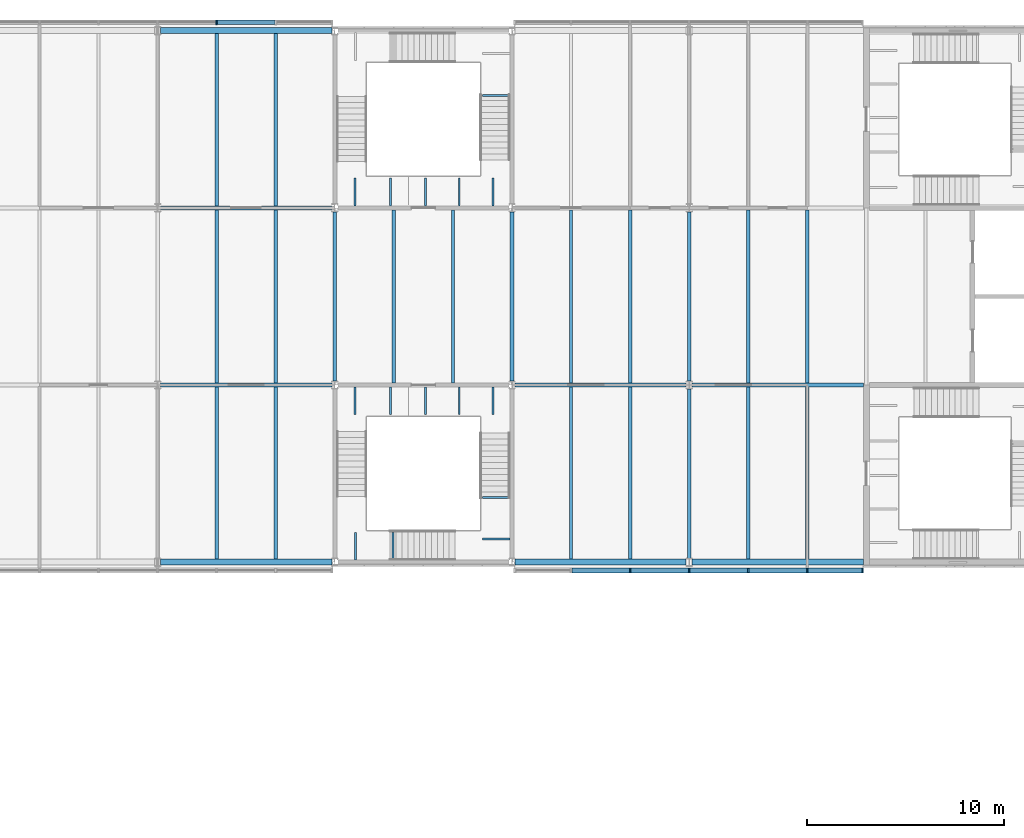
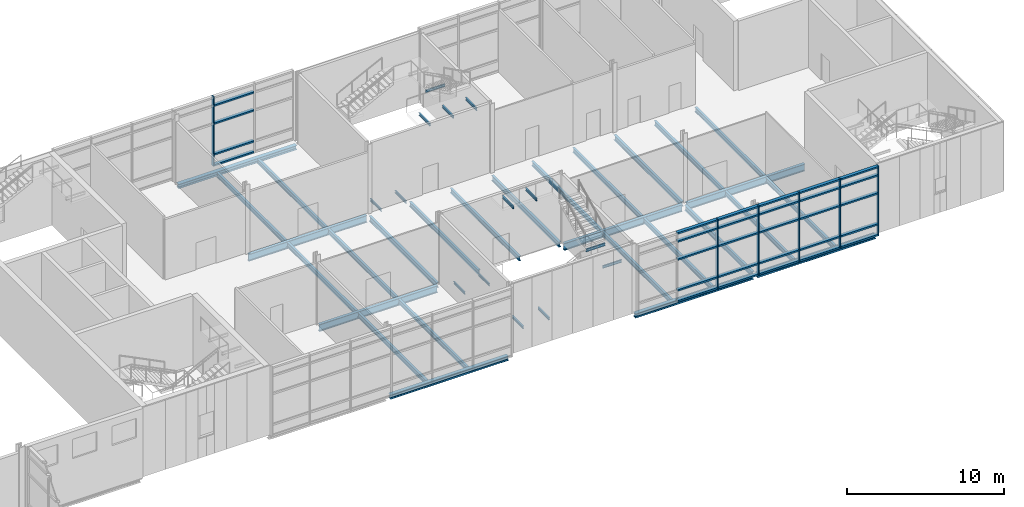
# One storey, part 26 of 56: 43 beams, 35 members, 2 elements without a shape of their own.
"""IFC4 building model written with IfcOpenShell, lengths in metres."""

from ifc_helpers import new_model, si_unit, direction, frame, origin, origin_2d, place, context, subcontext, project, spatial, rectangle, i_section, extrude, material, material_profile, profile_set, type_object, element, aggregate, save


model = new_model("IFC4")

# Units and contexts
model_context = context("Model", 3, precision=1e-05, world=origin(), true_north=direction((0.0, 1.0)))
body_context = subcontext(model_context, "Body", "Model", "MODEL_VIEW")
ifc_project = project(units=[si_unit("LENGTHUNIT", "METRE"), si_unit("AREAUNIT", "SQUARE_METRE"), si_unit("VOLUMEUNIT", "CUBIC_METRE"), si_unit("PLANEANGLEUNIT", "RADIAN"), si_unit("MASSUNIT", "GRAM", prefix="KILO")], contexts=[model_context])

# Site, building, storey
site_placement = place(None, origin())
site = spatial("IfcSite", under=ifc_project, at=site_placement, CompositionType="ELEMENT")
building_placement = place(site_placement, origin())
building = spatial("IfcBuilding", under=site, at=building_placement, Name="Azimuth Sports and Learning Centre", CompositionType="ELEMENT")
storey_placement = place(building_placement, frame((0.0, 0.0, 5.39990234375)))
storey = spatial("IfcBuildingStorey", under=building, at=storey_placement, Name="L01", CompositionType="ELEMENT", Elevation=5.39990234375)

# Beams
ifc_material_1 = material(Name="Steel S355", Category="steel")
ifc_material_profile_1 = material_profile(ifc_material_1, i_section(OverallWidth=0.10009765625, OverallDepth=0.199951171875, WebThickness=0.005615234375, FlangeThickness=0.008544921875, FilletRadius=0.011962890625, at=origin_2d()), Name="IPE 200")
ifc_profile_set_1 = profile_set([ifc_material_profile_1], Name="Steel S355")
beam_type_1 = type_object("IfcBeamType", Name="Beam IPE 200", PredefinedType="BEAM", material=ifc_profile_set_1)
for number, where, z_axis, x_axis, name in (
    (1, (136.02001953125, 98.89990234375, -0.2998046875), (0.0, -1.0, 0.0), (1.0, 0.0, 0.0), "Landing bracket EM1 L01 924"),
    (2, (137.840087890625, 98.89990234375, -0.2998046875), (0.0, -1.0, 0.0), (1.0, 0.0, 0.0), "Landing bracket EM1 L01 925"),
    (3, (136.06005859375, 90.10009765625, 1.5), (0.0, 1.0, 0.0), (-1.0, 0.0, 0.0), "Landing bracket EM1 L01 926"),
    (4, (137.9599609375, 90.10009765625, 1.5), (0.0, 1.0, 0.0), (-1.0, 0.0, 0.0), "Landing bracket EM1 L01 927"),
    (5, (143.89990234375, 91.172607421875, 3.300048828125), (-1.0, 0.0, 0.0), (0.0, -1.0, 0.0), "Landing bracket EM1 L01 928"),
    (6, (143.89990234375, 93.297607421875, 3.300048828125), (-1.0, 0.0, 0.0), (0.0, -1.0, 0.0), "Landing bracket EM1 L01 929"),
    (7, (139.606689453125, 98.89990234375, 5.10009765625), (0.0, -1.0, 0.0), (1.0, 0.0, 0.0), "Landing bracket EM1 L01 930"),
    (8, (141.320068359375, 98.89990234375, 5.10009765625), (0.0, -1.0, 0.0), (1.0, 0.0, 0.0), "Landing bracket EM1 L01 931"),
    (9, (143.033447265625, 98.89990234375, 5.10009765625), (0.0, -1.0, 0.0), (1.0, 0.0, 0.0), "Landing bracket EM1 L01 932"),
    (10, (136.02001953125, 108.10009765625, -0.2998046875), (0.0, 1.0, 0.0), (-1.0, 0.0, 0.0), "Landing bracket EM2 L01 958"),
    (11, (137.840087890625, 108.10009765625, -0.2998046875), (0.0, 1.0, 0.0), (-1.0, 0.0, 0.0), "Landing bracket EM2 L01 959"),
    (12, (143.89990234375, 113.702392578125, 3.300048828125), (-1.0, 0.0, 0.0), (0.0, -1.0, 0.0), "Landing bracket EM2 L01 962"),
    (13, (139.606689453125, 108.10009765625, 5.10009765625), (0.0, 1.0, 0.0), (-1.0, 0.0, 0.0), "Landing bracket EM2 L01 964"),
    (14, (141.320068359375, 108.10009765625, 5.10009765625), (0.0, 1.0, 0.0), (-1.0, 0.0, 0.0), "Landing bracket EM2 L01 965"),
    (15, (143.033447265625, 108.10009765625, 5.10009765625), (0.0, 1.0, 0.0), (-1.0, 0.0, 0.0), "Landing bracket EM2 L01 966"),
):
    element("IfcBeam", number, at=place(storey_placement, frame(where, z_axis=z_axis, x_axis=x_axis)), inside=storey, type_object=beam_type_1, Name=name, PredefinedType="BEAM", context=body_context, shape_type="SweptSolid", body=[
        extrude(i_section(OverallWidth=0.10009765625, OverallDepth=0.199951171875, WebThickness=0.005615234375, FlangeThickness=0.008544921875, FilletRadius=0.011962890625, at=origin_2d()), origin(), (0.0, 0.0, 1.0), 1.409912109375),
    ])
ifc_material_2 = material(Name="Steel S355", Category="steel")
ifc_material_profile_2 = material_profile(ifc_material_2, i_section(OverallWidth=0.179931640625, OverallDepth=0.39990234375, WebThickness=0.008544921875, FlangeThickness=0.013427734375, FilletRadius=0.02099609375, at=origin_2d()), Name="IPE 400")
ifc_profile_set_2 = profile_set([ifc_material_profile_2], Name="Steel S355")
beam_type_2 = type_object("IfcBeamType", Name="Beam IPE 400", PredefinedType="BEAM", material=ifc_profile_set_2)
for number, where, z_axis, x_axis, name in (
    (16, (135.0, 99.199951171875, -0.349853515625), (0.0, 1.0, 0.0), (-1.0, 0.0, 0.0), "Beam L01 WE 21"),
    (17, (144.0, 99.199951171875, -0.349853515625), (0.0, 1.0, 0.0), (-1.0, 0.0, 0.0), "Beam L01 WE 22"),
    (18, (153.0, 90.199951171875, -0.349853515625), (0.0, 1.0, 0.0), (-1.0, 0.0, 0.0), "Beam L01 WE 23"),
    (19, (153.0, 99.199951171875, -0.349853515625), (0.0, 1.0, 0.0), (-1.0, 0.0, 0.0), "Beam L01 WE 24"),
):
    element("IfcBeam", number, at=place(storey_placement, frame(where, z_axis=z_axis, x_axis=x_axis)), inside=storey, type_object=beam_type_2, Name=name, PredefinedType="BEAM", context=body_context, shape_type="SweptSolid", body=[
        extrude(i_section(OverallWidth=0.179931640625, OverallDepth=0.39990234375, WebThickness=0.008544921875, FlangeThickness=0.013427734375, FilletRadius=0.02099609375, at=origin_2d()), origin(), (0.0, 0.0, 1.0), 8.60009765625),
    ])
ifc_material_3 = material(Name="Steel S355", Category="steel")
ifc_material_profile_3 = material_profile(ifc_material_3, i_section(OverallWidth=0.2099609375, OverallDepth=0.550048828125, WebThickness=0.010986328125, FlangeThickness=0.01708984375, FilletRadius=0.02392578125, at=origin_2d()), Name="IPE 550")
ifc_profile_set_3 = profile_set([ifc_material_profile_3], Name="Steel S355")
beam_type_3 = type_object("IfcBeamType", Name="Beam IPE 550", PredefinedType="BEAM", material=ifc_profile_set_3)
for number, where, z_axis, x_axis, name in (
    (20, (126.14990234375, 99.0, -0.4248046875), (1.0, 0.0, 0.0), (0.0, 1.0, 0.0), "Beam L01 WE 6"),
    (21, (144.14990234375, 99.0, -0.4248046875), (1.0, 0.0, 0.0), (0.0, 1.0, 0.0), "Beam L01 WE 7"),
    (22, (153.14990234375, 99.0, -0.4248046875), (1.0, 0.0, 0.0), (0.0, 1.0, 0.0), "Beam L01 WE 8"),
    (23, (126.14990234375, 108.0, -0.4248046875), (1.0, 0.0, 0.0), (0.0, 1.0, 0.0), "Beam L01 WE 10"),
):
    element("IfcBeam", number, at=place(storey_placement, frame(where, z_axis=z_axis, x_axis=x_axis)), inside=storey, type_object=beam_type_3, Name=name, PredefinedType="BEAM", context=body_context, shape_type="SweptSolid", body=[
        extrude(i_section(OverallWidth=0.2099609375, OverallDepth=0.550048828125, WebThickness=0.010986328125, FlangeThickness=0.01708984375, FilletRadius=0.02392578125, at=origin_2d()), origin(), (0.0, 0.0, 1.0), 8.7001953125),
    ])
ifc_material_4 = material(Name="Steel S355", Category="steel")
ifc_material_profile_4 = material_profile(ifc_material_4, i_section(OverallWidth=0.300048828125, OverallDepth=0.330078125, WebThickness=0.009521484375, FlangeThickness=0.0166015625, FilletRadius=0.027099609375, at=origin_2d()), Name="HEA 340")
ifc_profile_set_4 = profile_set([ifc_material_profile_4], Name="Steel S355")
beam_type_4 = type_object("IfcBeamType", Name="Edge beam HEA 340", PredefinedType="SPANDREL", material=ifc_profile_set_4)
for number, where, z_axis, x_axis, name in (
    (24, (126.14990234375, 90.0, -0.31494140625), (1.0, 0.0, 0.0), (0.0, 1.0, 0.0), "Edge beam L01 WE 2"),
    (25, (144.14990234375, 90.0, -0.31494140625), (1.0, 0.0, 0.0), (0.0, 1.0, 0.0), "Edge beam L01 WE 3"),
    (26, (153.14990234375, 90.0, -0.31494140625), (1.0, 0.0, 0.0), (0.0, 1.0, 0.0), "Edge beam L01 WE 4"),
    (27, (126.14990234375, 117.0, -0.31494140625), (1.0, 0.0, 0.0), (0.0, 1.0, 0.0), "Edge beam L01 WE 14"),
):
    element("IfcBeam", number, at=place(storey_placement, frame(where, z_axis=z_axis, x_axis=x_axis)), inside=storey, type_object=beam_type_4, Name=name, PredefinedType="SPANDREL", context=body_context, shape_type="SweptSolid", body=[
        extrude(i_section(OverallWidth=0.300048828125, OverallDepth=0.330078125, WebThickness=0.009521484375, FlangeThickness=0.0166015625, FilletRadius=0.027099609375, at=origin_2d()), origin(), (0.0, 0.0, 1.0), 8.7001953125),
    ])
ifc_material_5 = material(Name="Steel S355", Category="steel")
ifc_material_profile_5 = material_profile(ifc_material_5, i_section(OverallWidth=0.169921875, OverallDepth=0.360107421875, WebThickness=0.008056640625, FlangeThickness=0.0126953125, FilletRadius=0.01806640625, at=origin_2d()), Name="IPE 360")
ifc_profile_set_5 = profile_set([ifc_material_profile_5], Name="Steel S355")
beam_type_5 = type_object("IfcBeamType", Name="Joist IPE 360", PredefinedType="JOIST", material=ifc_profile_set_5)
beam_1_placement = place(storey_placement, frame((129.0, 90.14990234375, -0.329833984375), z_axis=(0.0, 1.0, 0.0), x_axis=(-1.0, 0.0, 0.0)))
element("IfcBeam", 28, at=beam_1_placement, inside=storey, type_object=beam_type_5, Name="Joist L01 WE 33", PredefinedType="JOIST", context=body_context, shape_type="SweptSolid", body=[
    extrude(i_section(OverallWidth=0.169921875, OverallDepth=0.360107421875, WebThickness=0.008056640625, FlangeThickness=0.0126953125, FilletRadius=0.01806640625, at=origin_2d()), origin(), (0.0, 0.0, 1.0), 8.7451171875),
])
beam_2_placement = place(storey_placement, frame((129.0, 99.10498046875, -0.329833984375), z_axis=(0.0, 1.0, 0.0), x_axis=(-1.0, 0.0, 0.0)))
element("IfcBeam", 29, at=beam_2_placement, inside=storey, type_object=beam_type_5, Name="Joist L01 WE 34", PredefinedType="JOIST", context=body_context, shape_type="SweptSolid", body=[
    extrude(i_section(OverallWidth=0.169921875, OverallDepth=0.360107421875, WebThickness=0.008056640625, FlangeThickness=0.0126953125, FilletRadius=0.01806640625, at=origin_2d()), origin(), (0.0, 0.0, 1.0), 8.7900390625),
])
for number, where, z_axis, x_axis, name in (
    (30, (129.0, 108.10498046875, -0.329833984375), (0.0, 1.0, 0.0), (-1.0, 0.0, 0.0), "Joist L01 WE 35"),
    (31, (132.0, 90.14990234375, -0.329833984375), (0.0, 1.0, 0.0), (-1.0, 0.0, 0.0), "Joist L01 WE 36"),
):
    element("IfcBeam", number, at=place(storey_placement, frame(where, z_axis=z_axis, x_axis=x_axis)), inside=storey, type_object=beam_type_5, Name=name, PredefinedType="JOIST", context=body_context, shape_type="SweptSolid", body=[
        extrude(i_section(OverallWidth=0.169921875, OverallDepth=0.360107421875, WebThickness=0.008056640625, FlangeThickness=0.0126953125, FilletRadius=0.01806640625, at=origin_2d()), origin(), (0.0, 0.0, 1.0), 8.7451171875),
    ])
beam_3_placement = place(storey_placement, frame((132.0, 99.10498046875, -0.329833984375), z_axis=(0.0, 1.0, 0.0), x_axis=(-1.0, 0.0, 0.0)))
element("IfcBeam", 32, at=beam_3_placement, inside=storey, type_object=beam_type_5, Name="Joist L01 WE 37", PredefinedType="JOIST", context=body_context, shape_type="SweptSolid", body=[
    extrude(i_section(OverallWidth=0.169921875, OverallDepth=0.360107421875, WebThickness=0.008056640625, FlangeThickness=0.0126953125, FilletRadius=0.01806640625, at=origin_2d()), origin(), (0.0, 0.0, 1.0), 8.7900390625),
])
beam_4_placement = place(storey_placement, frame((132.0, 108.10498046875, -0.329833984375), z_axis=(0.0, 1.0, 0.0), x_axis=(-1.0, 0.0, 0.0)))
element("IfcBeam", 33, at=beam_4_placement, inside=storey, type_object=beam_type_5, Name="Joist L01 WE 38", PredefinedType="JOIST", context=body_context, shape_type="SweptSolid", body=[
    extrude(i_section(OverallWidth=0.169921875, OverallDepth=0.360107421875, WebThickness=0.008056640625, FlangeThickness=0.0126953125, FilletRadius=0.01806640625, at=origin_2d()), origin(), (0.0, 0.0, 1.0), 8.7451171875),
])
for number, where, z_axis, x_axis, name in (
    (34, (138.0, 99.10009765625, -0.329833984375), (0.0, 1.0, 0.0), (-1.0, 0.0, 0.0), "Joist L01 WE 39"),
    (35, (141.0, 99.10009765625, -0.329833984375), (0.0, 1.0, 0.0), (-1.0, 0.0, 0.0), "Joist L01 WE 40"),
):
    element("IfcBeam", number, at=place(storey_placement, frame(where, z_axis=z_axis, x_axis=x_axis)), inside=storey, type_object=beam_type_5, Name=name, PredefinedType="JOIST", context=body_context, shape_type="SweptSolid", body=[
        extrude(i_section(OverallWidth=0.169921875, OverallDepth=0.360107421875, WebThickness=0.008056640625, FlangeThickness=0.0126953125, FilletRadius=0.01806640625, at=origin_2d()), origin(), (0.0, 0.0, 1.0), 8.7998046875),
    ])
beam_5_placement = place(storey_placement, frame((147.0, 90.14990234375, -0.329833984375), z_axis=(0.0, 1.0, 0.0), x_axis=(-1.0, 0.0, 0.0)))
element("IfcBeam", 36, at=beam_5_placement, inside=storey, type_object=beam_type_5, Name="Joist L01 WE 41", PredefinedType="JOIST", context=body_context, shape_type="SweptSolid", body=[
    extrude(i_section(OverallWidth=0.169921875, OverallDepth=0.360107421875, WebThickness=0.008056640625, FlangeThickness=0.0126953125, FilletRadius=0.01806640625, at=origin_2d()), origin(), (0.0, 0.0, 1.0), 8.7451171875),
])
beam_6_placement = place(storey_placement, frame((147.0, 99.10498046875, -0.329833984375), z_axis=(0.0, 1.0, 0.0), x_axis=(-1.0, 0.0, 0.0)))
element("IfcBeam", 37, at=beam_6_placement, inside=storey, type_object=beam_type_5, Name="Joist L01 WE 42", PredefinedType="JOIST", context=body_context, shape_type="SweptSolid", body=[
    extrude(i_section(OverallWidth=0.169921875, OverallDepth=0.360107421875, WebThickness=0.008056640625, FlangeThickness=0.0126953125, FilletRadius=0.01806640625, at=origin_2d()), origin(), (0.0, 0.0, 1.0), 8.7900390625),
])
beam_7_placement = place(storey_placement, frame((150.0, 90.14990234375, -0.329833984375), z_axis=(0.0, 1.0, 0.0), x_axis=(-1.0, 0.0, 0.0)))
element("IfcBeam", 38, at=beam_7_placement, inside=storey, type_object=beam_type_5, Name="Joist L01 WE 44", PredefinedType="JOIST", context=body_context, shape_type="SweptSolid", body=[
    extrude(i_section(OverallWidth=0.169921875, OverallDepth=0.360107421875, WebThickness=0.008056640625, FlangeThickness=0.0126953125, FilletRadius=0.01806640625, at=origin_2d()), origin(), (0.0, 0.0, 1.0), 8.7451171875),
])
beam_8_placement = place(storey_placement, frame((150.0, 99.10498046875, -0.329833984375), z_axis=(0.0, 1.0, 0.0), x_axis=(-1.0, 0.0, 0.0)))
element("IfcBeam", 39, at=beam_8_placement, inside=storey, type_object=beam_type_5, Name="Joist L01 WE 45", PredefinedType="JOIST", context=body_context, shape_type="SweptSolid", body=[
    extrude(i_section(OverallWidth=0.169921875, OverallDepth=0.360107421875, WebThickness=0.008056640625, FlangeThickness=0.0126953125, FilletRadius=0.01806640625, at=origin_2d()), origin(), (0.0, 0.0, 1.0), 8.7900390625),
])
beam_9_placement = place(storey_placement, frame((156.0, 90.14990234375, -0.329833984375), z_axis=(0.0, 1.0, 0.0), x_axis=(-1.0, 0.0, 0.0)))
element("IfcBeam", 40, at=beam_9_placement, inside=storey, type_object=beam_type_5, Name="Joist L01 WE 47", PredefinedType="JOIST", context=body_context, shape_type="SweptSolid", body=[
    extrude(i_section(OverallWidth=0.169921875, OverallDepth=0.360107421875, WebThickness=0.008056640625, FlangeThickness=0.0126953125, FilletRadius=0.01806640625, at=origin_2d()), origin(), (0.0, 0.0, 1.0), 8.7451171875),
])
beam_10_placement = place(storey_placement, frame((156.0, 99.10498046875, -0.329833984375), z_axis=(0.0, 1.0, 0.0), x_axis=(-1.0, 0.0, 0.0)))
element("IfcBeam", 41, at=beam_10_placement, inside=storey, type_object=beam_type_5, Name="Joist L01 WE 48", PredefinedType="JOIST", context=body_context, shape_type="SweptSolid", body=[
    extrude(i_section(OverallWidth=0.169921875, OverallDepth=0.360107421875, WebThickness=0.008056640625, FlangeThickness=0.0126953125, FilletRadius=0.01806640625, at=origin_2d()), origin(), (0.0, 0.0, 1.0), 8.7900390625),
])
beam_11_placement = place(storey_placement, frame((159.0, 90.14990234375, -0.329833984375), z_axis=(0.0, 1.0, 0.0), x_axis=(-1.0, 0.0, 0.0)))
element("IfcBeam", 42, at=beam_11_placement, inside=storey, type_object=beam_type_5, Name="Joist L01 WE 50", PredefinedType="JOIST", context=body_context, shape_type="SweptSolid", body=[
    extrude(i_section(OverallWidth=0.169921875, OverallDepth=0.360107421875, WebThickness=0.008056640625, FlangeThickness=0.0126953125, FilletRadius=0.01806640625, at=origin_2d()), origin(), (0.0, 0.0, 1.0), 8.7451171875),
])
beam_12_placement = place(storey_placement, frame((159.0, 99.10498046875, -0.329833984375), z_axis=(0.0, 1.0, 0.0), x_axis=(-1.0, 0.0, 0.0)))
element("IfcBeam", 43, at=beam_12_placement, inside=storey, type_object=beam_type_5, Name="Joist L01 WE 51", PredefinedType="JOIST", context=body_context, shape_type="SweptSolid", body=[
    extrude(i_section(OverallWidth=0.169921875, OverallDepth=0.360107421875, WebThickness=0.008056640625, FlangeThickness=0.0126953125, FilletRadius=0.01806640625, at=origin_2d()), origin(), (0.0, 0.0, 1.0), 8.7900390625),
])

# Curtain wall, members
ifc_material_6 = material(Name="Aluminium and glass", Category="aluminium")
curtain_wall_type = type_object("IfcCurtainWallType", Name="Curtain wall podium wing 240", PredefinedType="NOTDEFINED", material=ifc_material_6)
curtain_wall_1_placement = place(storey_placement, origin())
curtain_wall_1 = element("IfcCurtainWall", 44, at=curtain_wall_1_placement, inside=storey, type_object=curtain_wall_type, Name="Curtain wall CW01-010", PredefinedType="NOTDEFINED")
ifc_material_7 = material(Name="Aluminium", Category="aluminium")
ifc_material_profile_6 = material_profile(ifc_material_7, rectangle(XDim=0.239990234375, YDim=0.080078125, at=origin_2d()), Name="Mullion 80x240")
ifc_profile_set_6 = profile_set([ifc_material_profile_6], Name="Aluminium")
member_type_1 = type_object("IfcMemberType", Name="Mullion 80x240", PredefinedType="MULLION", material=ifc_profile_set_6)
member_1_placement = place(storey_placement, frame((150.0, 89.580078125, 0.0), z_axis=(0.0, 0.0, 1.0), x_axis=(0.0, 1.0, 0.0)))
member_1 = element("IfcMember", 45, at=member_1_placement, type_object=member_type_1, Name="CW01-010 mullion 3", PredefinedType="MULLION", context=body_context, shape_type="SweptSolid", body=[
    extrude(rectangle(XDim=0.239990234375, YDim=0.080078125, at=origin_2d()), origin(), (0.0, 0.0, 1.0), 5.400146484375),
])
member_2_placement = place(storey_placement, frame((153.0, 89.580078125, 0.0), z_axis=(0.0, 0.0, 1.0), x_axis=(0.0, 1.0, 0.0)))
member_2 = element("IfcMember", 46, at=member_2_placement, type_object=member_type_1, Name="CW01-010 mullion 4", PredefinedType="MULLION", context=body_context, shape_type="SweptSolid", body=[
    extrude(rectangle(XDim=0.239990234375, YDim=0.080078125, at=origin_2d()), origin(), (0.0, 0.0, 1.0), 5.400146484375),
])
member_3_placement = place(storey_placement, frame((156.0, 89.580078125, 0.0), z_axis=(0.0, 0.0, 1.0), x_axis=(0.0, 1.0, 0.0)))
member_3 = element("IfcMember", 47, at=member_3_placement, type_object=member_type_1, Name="CW01-010 mullion 5", PredefinedType="MULLION", context=body_context, shape_type="SweptSolid", body=[
    extrude(rectangle(XDim=0.239990234375, YDim=0.080078125, at=origin_2d()), origin(), (0.0, 0.0, 1.0), 5.400146484375),
])
member_4_placement = place(storey_placement, frame((159.0, 89.580078125, 0.0), z_axis=(0.0, 0.0, 1.0), x_axis=(0.0, 1.0, 0.0)))
member_4 = element("IfcMember", 48, at=member_4_placement, type_object=member_type_1, Name="CW01-010 mullion 6", PredefinedType="MULLION", context=body_context, shape_type="SweptSolid", body=[
    extrude(rectangle(XDim=0.239990234375, YDim=0.080078125, at=origin_2d()), origin(), (0.0, 0.0, 1.0), 5.400146484375),
])
member_5_placement = place(storey_placement, frame((161.81005859375, 89.580078125, 0.0), z_axis=(0.0, 0.0, 1.0), x_axis=(0.0, 1.0, 0.0)))
member_5 = element("IfcMember", 49, at=member_5_placement, type_object=member_type_1, Name="CW01-010 mullion 7", PredefinedType="MULLION", context=body_context, shape_type="SweptSolid", body=[
    extrude(rectangle(XDim=0.239990234375, YDim=0.080078125, at=origin_2d()), origin(), (0.0, 0.0, 1.0), 5.400146484375),
])

# Curtain wall, member
curtain_wall_2_placement = place(storey_placement, origin())
curtain_wall_2 = element("IfcCurtainWall", 50, at=curtain_wall_2_placement, inside=storey, type_object=curtain_wall_type, Name="Curtain wall CW01-012", PredefinedType="NOTDEFINED")
member_6_placement = place(storey_placement, frame((129.0, 117.419921875, 0.0), z_axis=(0.0, 0.0, 1.0), x_axis=(0.0, -1.0, 0.0)))
member_6 = element("IfcMember", 51, at=member_6_placement, type_object=member_type_1, Name="CW01-012 mullion 3", PredefinedType="MULLION", context=body_context, shape_type="SweptSolid", body=[
    extrude(rectangle(XDim=0.239990234375, YDim=0.080078125, at=origin_2d()), origin(), (0.0, 0.0, 1.0), 5.400146484375),
])

# Member
ifc_material_8 = material(Name="Aluminium", Category="aluminium")
ifc_material_profile_7 = material_profile(ifc_material_8, rectangle(XDim=0.239990234375, YDim=0.1201171875, at=origin_2d()), Name="Transom 120x240")
ifc_profile_set_7 = profile_set([ifc_material_profile_7], Name="Aluminium")
member_type_2 = type_object("IfcMemberType", Name="Transom 120x240", PredefinedType="USERDEFINED", material=ifc_profile_set_7)
member_7_placement = place(storey_placement, frame((147.0400390625, 89.580078125, 0.06005859375), z_axis=(1.0, 0.0, 0.0), x_axis=(0.0, 1.0, 0.0)))
member_7 = element("IfcMember", 52, at=member_7_placement, type_object=member_type_2, Name="CW01-010 transom 2.1", ObjectType="TRANSOM", PredefinedType="USERDEFINED", context=body_context, shape_type="SweptSolid", body=[
    extrude(rectangle(XDim=0.239990234375, YDim=0.1201171875, at=origin_2d()), origin(), (0.0, 0.0, 1.0), 2.919921875),
])

member_8_placement = place(storey_placement, frame((147.0400390625, 89.580078125, 0.900146484375), z_axis=(1.0, 0.0, 0.0), x_axis=(0.0, 1.0, 0.0)))
member_8 = element("IfcMember", 53, at=member_8_placement, type_object=member_type_2, Name="CW01-010 transom 2.2", ObjectType="TRANSOM", PredefinedType="USERDEFINED", context=body_context, shape_type="SweptSolid", body=[
    extrude(rectangle(XDim=0.239990234375, YDim=0.1201171875, at=origin_2d()), origin(), (0.0, 0.0, 1.0), 2.919921875),
])

member_9_placement = place(storey_placement, frame((147.0400390625, 89.580078125, 3.300048828125), z_axis=(1.0, 0.0, 0.0), x_axis=(0.0, 1.0, 0.0)))
member_9 = element("IfcMember", 54, at=member_9_placement, type_object=member_type_2, Name="CW01-010 transom 2.3", ObjectType="TRANSOM", PredefinedType="USERDEFINED", context=body_context, shape_type="SweptSolid", body=[
    extrude(rectangle(XDim=0.239990234375, YDim=0.1201171875, at=origin_2d()), origin(), (0.0, 0.0, 1.0), 2.919921875),
])

member_10_placement = place(storey_placement, frame((147.0400390625, 89.580078125, 4.7001953125), z_axis=(1.0, 0.0, 0.0), x_axis=(0.0, 1.0, 0.0)))
member_10 = element("IfcMember", 55, at=member_10_placement, type_object=member_type_2, Name="CW01-010 transom 2.4", ObjectType="TRANSOM", PredefinedType="USERDEFINED", context=body_context, shape_type="SweptSolid", body=[
    extrude(rectangle(XDim=0.239990234375, YDim=0.1201171875, at=origin_2d()), origin(), (0.0, 0.0, 1.0), 2.919921875),
])

member_11_placement = place(storey_placement, frame((147.0400390625, 89.580078125, 5.340087890625), z_axis=(1.0, 0.0, 0.0), x_axis=(0.0, 1.0, 0.0)))
member_11 = element("IfcMember", 56, at=member_11_placement, type_object=member_type_2, Name="CW01-010 transom 2.5", ObjectType="TRANSOM", PredefinedType="USERDEFINED", context=body_context, shape_type="SweptSolid", body=[
    extrude(rectangle(XDim=0.239990234375, YDim=0.1201171875, at=origin_2d()), origin(), (0.0, 0.0, 1.0), 2.919921875),
])

member_12_placement = place(storey_placement, frame((150.0400390625, 89.580078125, 0.06005859375), z_axis=(1.0, 0.0, 0.0), x_axis=(0.0, 1.0, 0.0)))
member_12 = element("IfcMember", 57, at=member_12_placement, type_object=member_type_2, Name="CW01-010 transom 3.1", ObjectType="TRANSOM", PredefinedType="USERDEFINED", context=body_context, shape_type="SweptSolid", body=[
    extrude(rectangle(XDim=0.239990234375, YDim=0.1201171875, at=origin_2d()), origin(), (0.0, 0.0, 1.0), 2.919921875),
])

member_13_placement = place(storey_placement, frame((150.0400390625, 89.580078125, 0.900146484375), z_axis=(1.0, 0.0, 0.0), x_axis=(0.0, 1.0, 0.0)))
member_13 = element("IfcMember", 58, at=member_13_placement, type_object=member_type_2, Name="CW01-010 transom 3.2", ObjectType="TRANSOM", PredefinedType="USERDEFINED", context=body_context, shape_type="SweptSolid", body=[
    extrude(rectangle(XDim=0.239990234375, YDim=0.1201171875, at=origin_2d()), origin(), (0.0, 0.0, 1.0), 2.919921875),
])

member_14_placement = place(storey_placement, frame((150.0400390625, 89.580078125, 3.300048828125), z_axis=(1.0, 0.0, 0.0), x_axis=(0.0, 1.0, 0.0)))
member_14 = element("IfcMember", 59, at=member_14_placement, type_object=member_type_2, Name="CW01-010 transom 3.3", ObjectType="TRANSOM", PredefinedType="USERDEFINED", context=body_context, shape_type="SweptSolid", body=[
    extrude(rectangle(XDim=0.239990234375, YDim=0.1201171875, at=origin_2d()), origin(), (0.0, 0.0, 1.0), 2.919921875),
])

member_15_placement = place(storey_placement, frame((150.0400390625, 89.580078125, 4.7001953125), z_axis=(1.0, 0.0, 0.0), x_axis=(0.0, 1.0, 0.0)))
member_15 = element("IfcMember", 60, at=member_15_placement, type_object=member_type_2, Name="CW01-010 transom 3.4", ObjectType="TRANSOM", PredefinedType="USERDEFINED", context=body_context, shape_type="SweptSolid", body=[
    extrude(rectangle(XDim=0.239990234375, YDim=0.1201171875, at=origin_2d()), origin(), (0.0, 0.0, 1.0), 2.919921875),
])

member_16_placement = place(storey_placement, frame((150.0400390625, 89.580078125, 5.340087890625), z_axis=(1.0, 0.0, 0.0), x_axis=(0.0, 1.0, 0.0)))
member_16 = element("IfcMember", 61, at=member_16_placement, type_object=member_type_2, Name="CW01-010 transom 3.5", ObjectType="TRANSOM", PredefinedType="USERDEFINED", context=body_context, shape_type="SweptSolid", body=[
    extrude(rectangle(XDim=0.239990234375, YDim=0.1201171875, at=origin_2d()), origin(), (0.0, 0.0, 1.0), 2.919921875),
])

member_17_placement = place(storey_placement, frame((153.0400390625, 89.580078125, 0.06005859375), z_axis=(1.0, 0.0, 0.0), x_axis=(0.0, 1.0, 0.0)))
member_17 = element("IfcMember", 62, at=member_17_placement, type_object=member_type_2, Name="CW01-010 transom 4.1", ObjectType="TRANSOM", PredefinedType="USERDEFINED", context=body_context, shape_type="SweptSolid", body=[
    extrude(rectangle(XDim=0.239990234375, YDim=0.1201171875, at=origin_2d()), origin(), (0.0, 0.0, 1.0), 2.919921875),
])

member_18_placement = place(storey_placement, frame((153.0400390625, 89.580078125, 0.900146484375), z_axis=(1.0, 0.0, 0.0), x_axis=(0.0, 1.0, 0.0)))
member_18 = element("IfcMember", 63, at=member_18_placement, type_object=member_type_2, Name="CW01-010 transom 4.2", ObjectType="TRANSOM", PredefinedType="USERDEFINED", context=body_context, shape_type="SweptSolid", body=[
    extrude(rectangle(XDim=0.239990234375, YDim=0.1201171875, at=origin_2d()), origin(), (0.0, 0.0, 1.0), 2.919921875),
])

member_19_placement = place(storey_placement, frame((153.0400390625, 89.580078125, 3.300048828125), z_axis=(1.0, 0.0, 0.0), x_axis=(0.0, 1.0, 0.0)))
member_19 = element("IfcMember", 64, at=member_19_placement, type_object=member_type_2, Name="CW01-010 transom 4.3", ObjectType="TRANSOM", PredefinedType="USERDEFINED", context=body_context, shape_type="SweptSolid", body=[
    extrude(rectangle(XDim=0.239990234375, YDim=0.1201171875, at=origin_2d()), origin(), (0.0, 0.0, 1.0), 2.919921875),
])

member_20_placement = place(storey_placement, frame((153.0400390625, 89.580078125, 4.7001953125), z_axis=(1.0, 0.0, 0.0), x_axis=(0.0, 1.0, 0.0)))
member_20 = element("IfcMember", 65, at=member_20_placement, type_object=member_type_2, Name="CW01-010 transom 4.4", ObjectType="TRANSOM", PredefinedType="USERDEFINED", context=body_context, shape_type="SweptSolid", body=[
    extrude(rectangle(XDim=0.239990234375, YDim=0.1201171875, at=origin_2d()), origin(), (0.0, 0.0, 1.0), 2.919921875),
])

member_21_placement = place(storey_placement, frame((153.0400390625, 89.580078125, 5.340087890625), z_axis=(1.0, 0.0, 0.0), x_axis=(0.0, 1.0, 0.0)))
member_21 = element("IfcMember", 66, at=member_21_placement, type_object=member_type_2, Name="CW01-010 transom 4.5", ObjectType="TRANSOM", PredefinedType="USERDEFINED", context=body_context, shape_type="SweptSolid", body=[
    extrude(rectangle(XDim=0.239990234375, YDim=0.1201171875, at=origin_2d()), origin(), (0.0, 0.0, 1.0), 2.919921875),
])

member_22_placement = place(storey_placement, frame((156.0400390625, 89.580078125, 0.06005859375), z_axis=(1.0, 0.0, 0.0), x_axis=(0.0, 1.0, 0.0)))
member_22 = element("IfcMember", 67, at=member_22_placement, type_object=member_type_2, Name="CW01-010 transom 5.1", ObjectType="TRANSOM", PredefinedType="USERDEFINED", context=body_context, shape_type="SweptSolid", body=[
    extrude(rectangle(XDim=0.239990234375, YDim=0.1201171875, at=origin_2d()), origin(), (0.0, 0.0, 1.0), 2.919921875),
])

member_23_placement = place(storey_placement, frame((156.0400390625, 89.580078125, 0.900146484375), z_axis=(1.0, 0.0, 0.0), x_axis=(0.0, 1.0, 0.0)))
member_23 = element("IfcMember", 68, at=member_23_placement, type_object=member_type_2, Name="CW01-010 transom 5.2", ObjectType="TRANSOM", PredefinedType="USERDEFINED", context=body_context, shape_type="SweptSolid", body=[
    extrude(rectangle(XDim=0.239990234375, YDim=0.1201171875, at=origin_2d()), origin(), (0.0, 0.0, 1.0), 2.919921875),
])

member_24_placement = place(storey_placement, frame((156.0400390625, 89.580078125, 3.300048828125), z_axis=(1.0, 0.0, 0.0), x_axis=(0.0, 1.0, 0.0)))
member_24 = element("IfcMember", 69, at=member_24_placement, type_object=member_type_2, Name="CW01-010 transom 5.3", ObjectType="TRANSOM", PredefinedType="USERDEFINED", context=body_context, shape_type="SweptSolid", body=[
    extrude(rectangle(XDim=0.239990234375, YDim=0.1201171875, at=origin_2d()), origin(), (0.0, 0.0, 1.0), 2.919921875),
])

member_25_placement = place(storey_placement, frame((156.0400390625, 89.580078125, 4.7001953125), z_axis=(1.0, 0.0, 0.0), x_axis=(0.0, 1.0, 0.0)))
member_25 = element("IfcMember", 70, at=member_25_placement, type_object=member_type_2, Name="CW01-010 transom 5.4", ObjectType="TRANSOM", PredefinedType="USERDEFINED", context=body_context, shape_type="SweptSolid", body=[
    extrude(rectangle(XDim=0.239990234375, YDim=0.1201171875, at=origin_2d()), origin(), (0.0, 0.0, 1.0), 2.919921875),
])

member_26_placement = place(storey_placement, frame((156.0400390625, 89.580078125, 5.340087890625), z_axis=(1.0, 0.0, 0.0), x_axis=(0.0, 1.0, 0.0)))
member_26 = element("IfcMember", 71, at=member_26_placement, type_object=member_type_2, Name="CW01-010 transom 5.5", ObjectType="TRANSOM", PredefinedType="USERDEFINED", context=body_context, shape_type="SweptSolid", body=[
    extrude(rectangle(XDim=0.239990234375, YDim=0.1201171875, at=origin_2d()), origin(), (0.0, 0.0, 1.0), 2.919921875),
])

member_27_placement = place(storey_placement, frame((159.0400390625, 89.580078125, 0.06005859375), z_axis=(1.0, 0.0, 0.0), x_axis=(0.0, 1.0, 0.0)))
member_27 = element("IfcMember", 72, at=member_27_placement, type_object=member_type_2, Name="CW01-010 transom 6.1", ObjectType="TRANSOM", PredefinedType="USERDEFINED", context=body_context, shape_type="SweptSolid", body=[
    extrude(rectangle(XDim=0.239990234375, YDim=0.1201171875, at=origin_2d()), origin(), (0.0, 0.0, 1.0), 2.72998046875),
])

member_28_placement = place(storey_placement, frame((159.0400390625, 89.580078125, 0.900146484375), z_axis=(1.0, 0.0, 0.0), x_axis=(0.0, 1.0, 0.0)))
member_28 = element("IfcMember", 73, at=member_28_placement, type_object=member_type_2, Name="CW01-010 transom 6.2", ObjectType="TRANSOM", PredefinedType="USERDEFINED", context=body_context, shape_type="SweptSolid", body=[
    extrude(rectangle(XDim=0.239990234375, YDim=0.1201171875, at=origin_2d()), origin(), (0.0, 0.0, 1.0), 2.72998046875),
])

member_29_placement = place(storey_placement, frame((159.0400390625, 89.580078125, 3.300048828125), z_axis=(1.0, 0.0, 0.0), x_axis=(0.0, 1.0, 0.0)))
member_29 = element("IfcMember", 74, at=member_29_placement, type_object=member_type_2, Name="CW01-010 transom 6.3", ObjectType="TRANSOM", PredefinedType="USERDEFINED", context=body_context, shape_type="SweptSolid", body=[
    extrude(rectangle(XDim=0.239990234375, YDim=0.1201171875, at=origin_2d()), origin(), (0.0, 0.0, 1.0), 2.72998046875),
])

member_30_placement = place(storey_placement, frame((159.0400390625, 89.580078125, 4.7001953125), z_axis=(1.0, 0.0, 0.0), x_axis=(0.0, 1.0, 0.0)))
member_30 = element("IfcMember", 75, at=member_30_placement, type_object=member_type_2, Name="CW01-010 transom 6.4", ObjectType="TRANSOM", PredefinedType="USERDEFINED", context=body_context, shape_type="SweptSolid", body=[
    extrude(rectangle(XDim=0.239990234375, YDim=0.1201171875, at=origin_2d()), origin(), (0.0, 0.0, 1.0), 2.72998046875),
])

member_31_placement = place(storey_placement, frame((159.0400390625, 89.580078125, 5.340087890625), z_axis=(1.0, 0.0, 0.0), x_axis=(0.0, 1.0, 0.0)))
member_31 = element("IfcMember", 76, at=member_31_placement, type_object=member_type_2, Name="CW01-010 transom 6.5", ObjectType="TRANSOM", PredefinedType="USERDEFINED", context=body_context, shape_type="SweptSolid", body=[
    extrude(rectangle(XDim=0.239990234375, YDim=0.1201171875, at=origin_2d()), origin(), (0.0, 0.0, 1.0), 2.72998046875),
])

aggregate(curtain_wall_1, [member_1, member_2, member_3, member_4, member_5, member_7, member_8, member_9, member_10, member_11, member_12, member_13, member_14, member_15, member_16, member_17, member_18, member_19, member_20, member_21, member_22, member_23, member_24, member_25, member_26, member_27, member_28, member_29, member_30, member_31])

member_32_placement = place(storey_placement, frame((131.9599609375, 117.419921875, 0.06005859375), z_axis=(-1.0, 0.0, 0.0), x_axis=(0.0, -1.0, 0.0)))
member_32 = element("IfcMember", 77, at=member_32_placement, type_object=member_type_2, Name="CW01-012 transom 2.1", ObjectType="TRANSOM", PredefinedType="USERDEFINED", context=body_context, shape_type="SweptSolid", body=[
    extrude(rectangle(XDim=0.239990234375, YDim=0.1201171875, at=origin_2d()), origin(), (0.0, 0.0, 1.0), 2.919921875),
])

member_33_placement = place(storey_placement, frame((131.9599609375, 117.419921875, 0.900146484375), z_axis=(-1.0, 0.0, 0.0), x_axis=(0.0, -1.0, 0.0)))
member_33 = element("IfcMember", 78, at=member_33_placement, type_object=member_type_2, Name="CW01-012 transom 2.2", ObjectType="TRANSOM", PredefinedType="USERDEFINED", context=body_context, shape_type="SweptSolid", body=[
    extrude(rectangle(XDim=0.239990234375, YDim=0.1201171875, at=origin_2d()), origin(), (0.0, 0.0, 1.0), 2.919921875),
])

member_34_placement = place(storey_placement, frame((131.9599609375, 117.419921875, 3.300048828125), z_axis=(-1.0, 0.0, 0.0), x_axis=(0.0, -1.0, 0.0)))
member_34 = element("IfcMember", 79, at=member_34_placement, type_object=member_type_2, Name="CW01-012 transom 2.3", ObjectType="TRANSOM", PredefinedType="USERDEFINED", context=body_context, shape_type="SweptSolid", body=[
    extrude(rectangle(XDim=0.239990234375, YDim=0.1201171875, at=origin_2d()), origin(), (0.0, 0.0, 1.0), 2.919921875),
])

member_35_placement = place(storey_placement, frame((131.9599609375, 117.419921875, 4.7001953125), z_axis=(-1.0, 0.0, 0.0), x_axis=(0.0, -1.0, 0.0)))
member_35 = element("IfcMember", 80, at=member_35_placement, type_object=member_type_2, Name="CW01-012 transom 2.4", ObjectType="TRANSOM", PredefinedType="USERDEFINED", context=body_context, shape_type="SweptSolid", body=[
    extrude(rectangle(XDim=0.239990234375, YDim=0.1201171875, at=origin_2d()), origin(), (0.0, 0.0, 1.0), 2.919921875),
])

aggregate(curtain_wall_2, [member_6, member_32, member_33, member_34, member_35])

save(model, "model.ifc")
